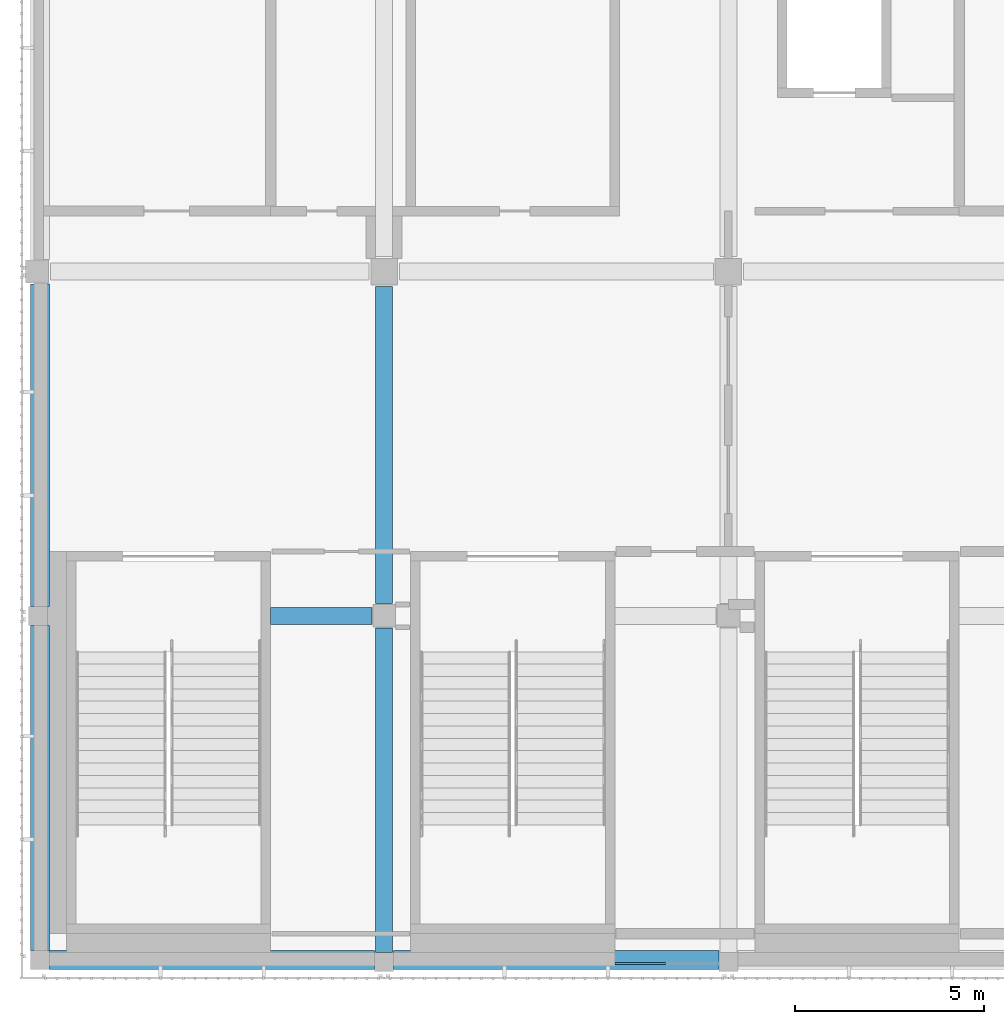
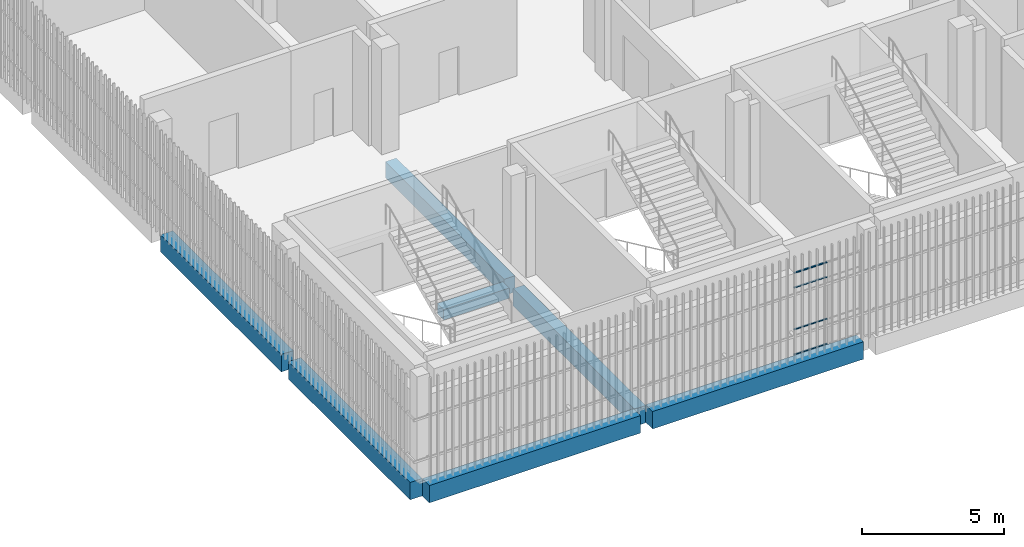
# One storey, part 3 of 139: 7 beams, 4 members, 1 element without a shape of its own.
"""IFC4 building model written with IfcOpenShell, lengths in metres."""

from ifc_helpers import new_model, si_unit, direction, frame, origin, origin_2d, place, context, subcontext, project, spatial, rectangle, hollow_rectangle, extrude, material, layer, layer_set, material_profile, profile_set, type_object, element, aggregate, save


model = new_model("IFC4")

# Units and contexts
model_context = context("Model", 3, precision=1e-05, world=origin(), true_north=direction((0.0, 1.0)))
body_context = subcontext(model_context, "Body", "Model", "MODEL_VIEW")
ifc_project = project(units=[si_unit("LENGTHUNIT", "METRE"), si_unit("AREAUNIT", "SQUARE_METRE"), si_unit("VOLUMEUNIT", "CUBIC_METRE"), si_unit("PLANEANGLEUNIT", "RADIAN"), si_unit("MASSUNIT", "GRAM", prefix="KILO")], contexts=[model_context])

# Site, building, storey
site_placement = place(None, origin())
site = spatial("IfcSite", under=ifc_project, at=site_placement, CompositionType="ELEMENT")
building_placement = place(site_placement, origin())
building = spatial("IfcBuilding", under=site, at=building_placement, Name="Shirokan Park Arena", CompositionType="ELEMENT")
storey_placement = place(building_placement, frame((0.0, 0.0, 15.469970703125)))
storey = spatial("IfcBuildingStorey", under=building, at=storey_placement, Name="L03", CompositionType="ELEMENT", Elevation=15.469970703125)

# Beams
ifc_material_1 = material(Name="Concrete C35", Category="concrete")
ifc_material_profile_1 = material_profile(ifc_material_1, rectangle(XDim=0.449951171875, YDim=0.699951171875, at=origin_2d()), Name="450x700")
ifc_profile_set_1 = profile_set([ifc_material_profile_1], Name="Concrete C35")
beam_type_1 = type_object("IfcBeamType", Name="RC girder 450x700", PredefinedType="BEAM", material=ifc_profile_set_1)
beam_1_placement = place(storey_placement, frame((9.10009765625, 9.425048828125, -0.64990234375), z_axis=(0.0, 1.0, 0.0), x_axis=(-1.0, 0.0, 0.0)))
element("IfcBeam", 1, at=beam_1_placement, inside=storey, type_object=beam_type_1, Name="Girder 2B-2C L03", PredefinedType="BEAM", context=body_context, shape_type="SweptSolid", body=[
    extrude(rectangle(XDim=0.449951171875, YDim=0.699951171875, at=origin_2d()), origin(), (0.0, 0.0, 1.0), 8.374755859375),
])
ifc_material_profile_2 = material_profile(ifc_material_1, rectangle(XDim=0.449951171875, YDim=0.75, at=origin_2d()), Name="450x750")
ifc_profile_set_2 = profile_set([ifc_material_profile_2], Name="Concrete C35")
beam_type_2 = type_object("IfcBeamType", Name="RC girder 450x750", PredefinedType="BEAM", material=ifc_profile_set_2)
beam_2_placement = place(storey_placement, frame((9.10009765625, 0.2001953125, -0.675048828125), z_axis=(0.0, 1.0, 0.0), x_axis=(-1.0, 0.0, 0.0)))
element("IfcBeam", 2, at=beam_2_placement, inside=storey, type_object=beam_type_2, Name="Girder 2A-2B L03", PredefinedType="BEAM", context=body_context, shape_type="SweptSolid", body=[
    extrude(rectangle(XDim=0.449951171875, YDim=0.75, at=origin_2d()), origin(), (0.0, 0.0, 1.0), 8.57470703125),
])
ifc_material_profile_3 = material_profile(ifc_material_1, rectangle(XDim=0.5, YDim=0.75, at=origin_2d()), Name="500x750")
ifc_profile_set_3 = profile_set([ifc_material_profile_3], Name="Concrete C35")
beam_type_3 = type_object("IfcBeamType", Name="RC girder 500x750", PredefinedType="BEAM", material=ifc_profile_set_3)
for number, where, z_axis, x_axis, name in (
    (3, (0.25, 0.0, -0.675048828125), (1.0, 0.0, 0.0), (0.0, 1.0, 0.0), "Girder 1A-2A L03"),
    (4, (9.35009765625, 0.0, -0.675048828125), (1.0, 0.0, 0.0), (0.0, 1.0, 0.0), "Girder 2A-3A L03"),
    (5, (0.0, 0.25, -0.675048828125), (0.0, 1.0, 0.0), (-1.0, 0.0, 0.0), "Girder 1A-1B L03"),
):
    element("IfcBeam", number, at=place(storey_placement, frame(where, z_axis=z_axis, x_axis=x_axis)), inside=storey, type_object=beam_type_3, Name=name, PredefinedType="BEAM", context=body_context, shape_type="SweptSolid", body=[
        extrude(rectangle(XDim=0.5, YDim=0.75, at=origin_2d()), origin(), (0.0, 0.0, 1.0), 8.599853515625),
    ])
beam_3_placement = place(storey_placement, frame((0.0, 9.35009765625, -0.675048828125), z_axis=(0.0, 1.0, 0.0), x_axis=(-1.0, 0.0, 0.0)))
element("IfcBeam", 6, at=beam_3_placement, inside=storey, type_object=beam_type_3, Name="Girder 1B-1C L03", PredefinedType="BEAM", context=body_context, shape_type="SweptSolid", body=[
    extrude(rectangle(XDim=0.5, YDim=0.75, at=origin_2d()), origin(), (0.0, 0.0, 1.0), 8.52490234375),
])
ifc_material_profile_4 = material_profile(ifc_material_1, rectangle(XDim=0.449951171875, YDim=0.449951171875, at=origin_2d()), Name="450x450")
ifc_profile_set_4 = profile_set([ifc_material_profile_4], Name="Concrete C35")
beam_type_4 = type_object("IfcBeamType", Name="RC trimmer 450x450", PredefinedType="BEAM", material=ifc_profile_set_4)
beam_4_placement = place(storey_placement, frame((6.10009765625, 9.10009765625, -0.52490234375), z_axis=(1.0, 0.0, 0.0), x_axis=(0.0, 1.0, 0.0)))
element("IfcBeam", 7, at=beam_4_placement, inside=storey, type_object=beam_type_4, Name="Girder 1B-2B L03", PredefinedType="BEAM", context=body_context, shape_type="SweptSolid", body=[
    extrude(rectangle(XDim=0.449951171875, YDim=0.449951171875, at=origin_2d()), origin(), (0.0, 0.0, 1.0), 2.6748046875),
])

# Curtain wall, members
ifc_material_2 = material(Name="Steel and glass curtain wall", Category="steel")
ifc_layer = layer(ifc_material_2, 0.1201171875)
ifc_layer_set = layer_set([ifc_layer], Name="Steel and glass curtain wall 120 mm")
curtain_wall_type = type_object("IfcCurtainWallType", Name="Curtain wall corner block side bay 120", PredefinedType="NOTDEFINED", material=ifc_layer_set)
curtain_wall_placement = place(storey_placement, origin())
curtain_wall = element("IfcCurtainWall", 8, at=curtain_wall_placement, inside=storey, type_object=curtain_wall_type, Name="Curtain wall south bay 2 L03", PredefinedType="NOTDEFINED")
ifc_material_3 = material(Name="Steel S355", Category="steel")
ifc_material_profile_5 = material_profile(ifc_material_3, hollow_rectangle(XDim=0.06005859375, YDim=0.0400390625, WallThickness=0.00390625, at=origin_2d()), Name="RHS 60x40x4")
ifc_profile_set_5 = profile_set([ifc_material_profile_5], Name="Steel S355")
member_type = type_object("IfcMemberType", Name="Transom RHS 60x40x4", PredefinedType="MULLION", material=ifc_profile_set_5)
member_1_placement = place(storey_placement, frame((15.199951171875, -0.090087890625, 0.02001953125), z_axis=(1.0, 0.0, 0.0), x_axis=(0.0, 1.0, 0.0)))
member_1 = element("IfcMember", 9, at=member_1_placement, type_object=member_type, Name="CW3 transom 1.1", PredefinedType="MULLION", context=body_context, shape_type="SweptSolid", body=[
    extrude(hollow_rectangle(XDim=0.06005859375, YDim=0.0400390625, WallThickness=0.00390625, at=origin_2d()), origin(), (0.0, 0.0, 1.0), 1.35009765625),
])
member_2_placement = place(storey_placement, frame((15.199951171875, -0.090087890625, 1.10009765625), z_axis=(1.0, 0.0, 0.0), x_axis=(0.0, 1.0, 0.0)))
member_2 = element("IfcMember", 10, at=member_2_placement, type_object=member_type, Name="CW3 transom 1.2", PredefinedType="MULLION", context=body_context, shape_type="SweptSolid", body=[
    extrude(hollow_rectangle(XDim=0.06005859375, YDim=0.0400390625, WallThickness=0.00390625, at=origin_2d()), origin(), (0.0, 0.0, 1.0), 1.35009765625),
])
member_3_placement = place(storey_placement, frame((15.199951171875, -0.090087890625, 2.900146484375), z_axis=(1.0, 0.0, 0.0), x_axis=(0.0, 1.0, 0.0)))
member_3 = element("IfcMember", 11, at=member_3_placement, type_object=member_type, Name="CW3 transom 1.3", PredefinedType="MULLION", context=body_context, shape_type="SweptSolid", body=[
    extrude(hollow_rectangle(XDim=0.06005859375, YDim=0.0400390625, WallThickness=0.00390625, at=origin_2d()), origin(), (0.0, 0.0, 1.0), 1.35009765625),
])
member_4_placement = place(storey_placement, frame((15.199951171875, -0.090087890625, 3.530029296875), z_axis=(1.0, 0.0, 0.0), x_axis=(0.0, 1.0, 0.0)))
member_4 = element("IfcMember", 12, at=member_4_placement, type_object=member_type, Name="CW3 transom 1.4", PredefinedType="MULLION", context=body_context, shape_type="SweptSolid", body=[
    extrude(hollow_rectangle(XDim=0.06005859375, YDim=0.0400390625, WallThickness=0.00390625, at=origin_2d()), origin(), (0.0, 0.0, 1.0), 1.35009765625),
])
aggregate(curtain_wall, [member_1, member_2, member_3, member_4])

save(model, "model.ifc")
